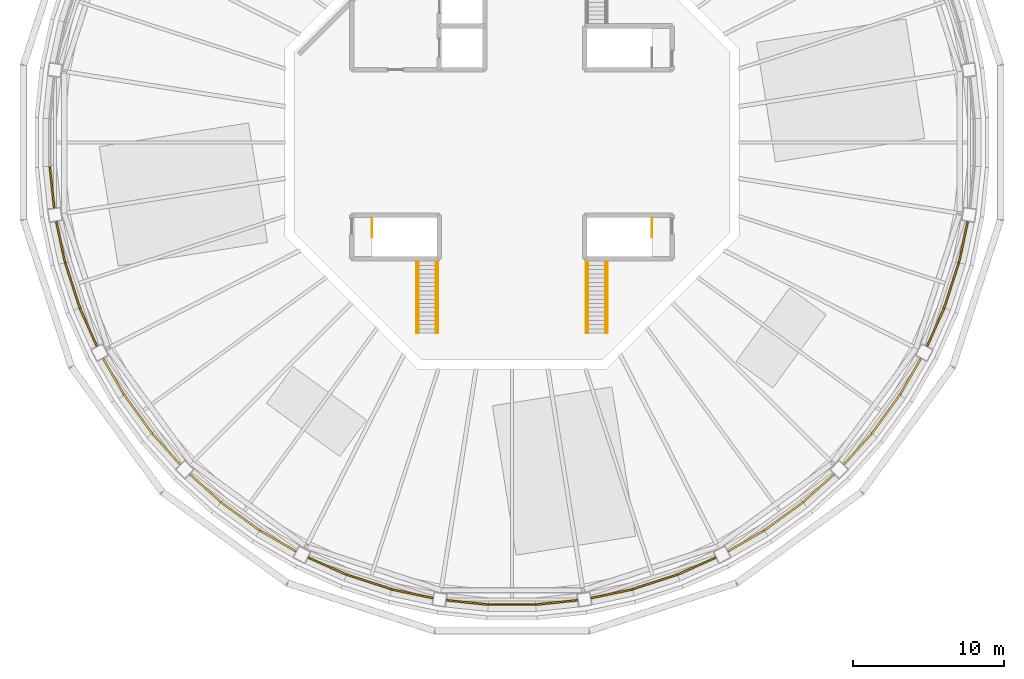
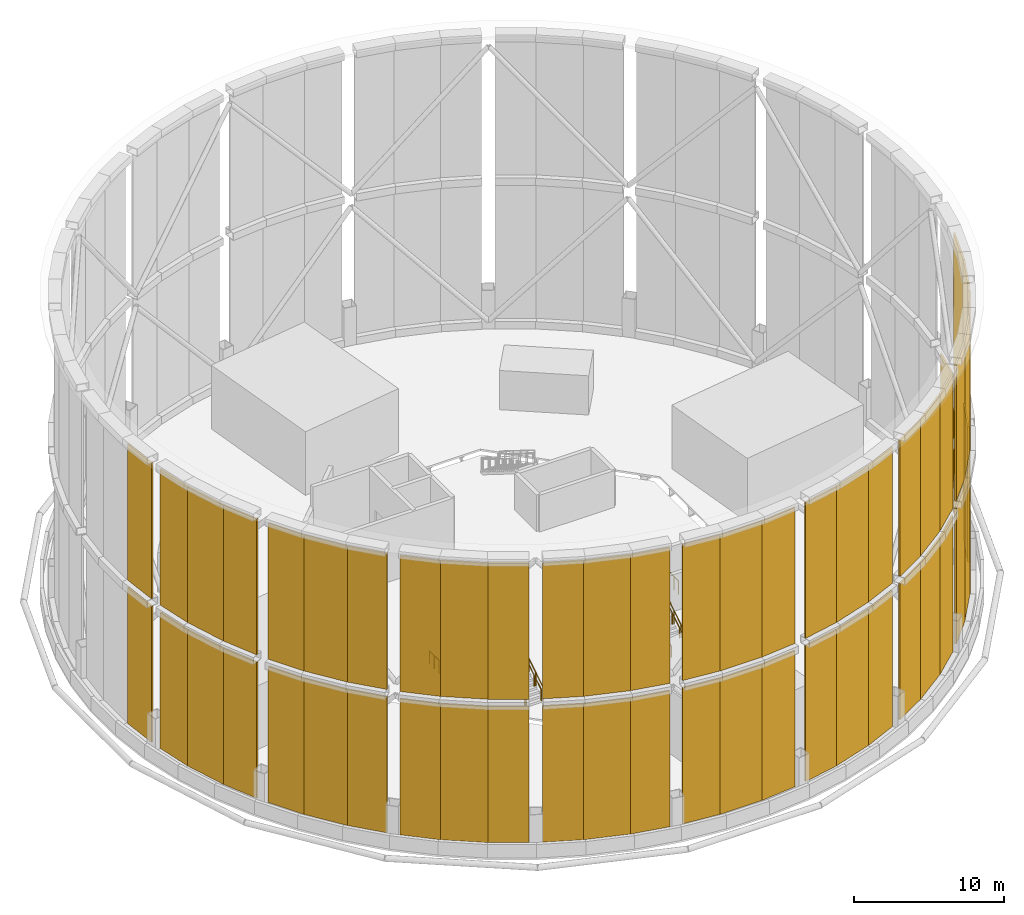
# One storey, part 8 of 11: 55 shading devices, 10 railings.
"""IFC4 building model written with IfcOpenShell, lengths in metres."""

from ifc_helpers import new_model, si_unit, direction, frame, origin, origin_2d, place, context, subcontext, project, spatial, polyline, circle, outline, extrude, material, layer, layer_set, type_object, element, save


model = new_model("IFC4")

# Units and contexts
model_context = context("Model", 3, precision=1e-05, world=origin(), true_north=direction((0.0, 1.0)))
body_context = subcontext(model_context, "Body", "Model", "MODEL_VIEW")
ifc_project = project(units=[si_unit("LENGTHUNIT", "METRE"), si_unit("AREAUNIT", "SQUARE_METRE"), si_unit("VOLUMEUNIT", "CUBIC_METRE"), si_unit("PLANEANGLEUNIT", "RADIAN"), si_unit("MASSUNIT", "GRAM", prefix="KILO")], contexts=[model_context])

# Site, building, storey
site_placement = place(None, origin())
site = spatial("IfcSite", under=ifc_project, at=site_placement, CompositionType="ELEMENT")
building_placement = place(site_placement, origin())
building = spatial("IfcBuilding", under=site, at=building_placement, Name="Entoto Ring Tower", CompositionType="ELEMENT")
storey_placement = place(building_placement, frame((0.0, 0.0, 415.0)))
storey = spatial("IfcBuildingStorey", under=building, at=storey_placement, Name="ROOF", CompositionType="ELEMENT", Elevation=415.0)

# Shading devices
ifc_material_1 = material(Name="Anodised aluminium", Category="aluminium")
ifc_layer = layer(ifc_material_1, 0.1201171875)
ifc_layer_set = layer_set([ifc_layer], Name="Anodised aluminium")
shading_device_type = type_object("IfcShadingDeviceType", Name="Crown louvre screen 120 mm anodised aluminium", PredefinedType="SHUTTER", material=ifc_layer_set)
shading_device_1_placement = place(storey_placement, frame((0.0, 0.0, 0.60009765625)))
element("IfcShadingDevice", 1, at=shading_device_1_placement, inside=storey, type_object=shading_device_type, Name="CROWN SCREEN 1-29", PredefinedType="SHUTTER", context=body_context, shape_type="SweptSolid", body=[
    extrude(outline(polyline([(59.501953125, 78.401611328125), (59.3818359375, 78.395263671875), (59.669921875, 75.654296875), (59.789306640625, 75.6669921875), (59.501953125, 78.401611328125)])), origin(), (0.0, 0.0, 1.0), 11.099853515625),
])
shading_device_2_placement = place(storey_placement, frame((0.0, 0.0, 0.60009765625)))
element("IfcShadingDevice", 2, at=shading_device_2_placement, inside=storey, type_object=shading_device_type, Name="CROWN SCREEN 1-30", PredefinedType="SHUTTER", context=body_context, shape_type="SweptSolid", body=[
    extrude(outline(polyline([(59.928955078125, 74.785400390625), (59.8115234375, 74.760498046875), (60.384521484375, 72.064697265625), (60.500732421875, 72.095703125), (59.928955078125, 74.785400390625)])), origin(), (0.0, 0.0, 1.0), 11.099853515625),
])
shading_device_3_placement = place(storey_placement, frame((0.0, 0.0, 0.60009765625)))
element("IfcShadingDevice", 3, at=shading_device_3_placement, inside=storey, type_object=shading_device_type, Name="CROWN SCREEN 1-31", PredefinedType="SHUTTER", context=body_context, shape_type="SweptSolid", body=[
    extrude(outline(polyline([(60.500732421875, 72.095703125), (60.384521484375, 72.064697265625), (61.37646484375, 69.012451171875), (61.488525390625, 69.055419921875), (60.500732421875, 72.095703125)])), origin(), (0.0, 0.0, 1.0), 11.099853515625),
])
shading_device_4_placement = place(storey_placement, frame((0.0, 0.0, 0.60009765625)))
element("IfcShadingDevice", 4, at=shading_device_4_placement, inside=storey, type_object=shading_device_type, Name="CROWN SCREEN 1-32", PredefinedType="SHUTTER", context=body_context, shape_type="SweptSolid", body=[
    extrude(outline(polyline([(61.488525390625, 69.055419921875), (61.37646484375, 69.012451171875), (62.497314453125, 66.49462890625), (62.60693359375, 66.54345703125), (61.488525390625, 69.055419921875)])), origin(), (0.0, 0.0, 1.0), 11.099853515625),
])
shading_device_5_placement = place(storey_placement, frame((0.0, 0.0, 0.60009765625)))
element("IfcShadingDevice", 5, at=shading_device_5_placement, inside=storey, type_object=shading_device_type, Name="CROWN SCREEN 1-33", PredefinedType="SHUTTER", context=body_context, shape_type="SweptSolid", body=[
    extrude(outline(polyline([(63.01220703125, 65.748291015625), (62.908203125, 65.688232421875), (64.286376953125, 63.30126953125), (64.386962890625, 63.36669921875), (63.01220703125, 65.748291015625)])), origin(), (0.0, 0.0, 1.0), 11.099853515625),
])
shading_device_6_placement = place(storey_placement, frame((0.0, 0.0, 0.60009765625)))
element("IfcShadingDevice", 6, at=shading_device_6_placement, inside=storey, type_object=shading_device_type, Name="CROWN SCREEN 1-34", PredefinedType="SHUTTER", context=body_context, shape_type="SweptSolid", body=[
    extrude(outline(polyline([(64.386962890625, 63.36669921875), (64.286376953125, 63.30126953125), (66.172607421875, 60.705078125), (66.26611328125, 60.780517578125), (64.386962890625, 63.36669921875)])), origin(), (0.0, 0.0, 1.0), 11.099853515625),
])
shading_device_7_placement = place(storey_placement, frame((0.0, 0.0, 0.60009765625)))
element("IfcShadingDevice", 7, at=shading_device_7_placement, inside=storey, type_object=shading_device_type, Name="CROWN SCREEN 1-35", PredefinedType="SHUTTER", context=body_context, shape_type="SweptSolid", body=[
    extrude(outline(polyline([(66.26611328125, 60.780517578125), (66.172607421875, 60.705078125), (68.016845703125, 58.65673828125), (68.10595703125, 58.737060546875), (66.26611328125, 60.780517578125)])), origin(), (0.0, 0.0, 1.0), 11.099853515625),
])
shading_device_8_placement = place(storey_placement, frame((0.0, 0.0, 0.60009765625)))
element("IfcShadingDevice", 8, at=shading_device_8_placement, inside=storey, type_object=shading_device_type, Name="CROWN SCREEN 1-36", PredefinedType="SHUTTER", context=body_context, shape_type="SweptSolid", body=[
    extrude(outline(polyline([(68.737060546875, 58.10595703125), (68.65673828125, 58.016845703125), (70.705078125, 56.172607421875), (70.780517578125, 56.26611328125), (68.737060546875, 58.10595703125)])), origin(), (0.0, 0.0, 1.0), 11.099853515625),
])
shading_device_9_placement = place(storey_placement, frame((0.0, 0.0, 0.60009765625)))
element("IfcShadingDevice", 9, at=shading_device_9_placement, inside=storey, type_object=shading_device_type, Name="CROWN SCREEN 1-37", PredefinedType="SHUTTER", context=body_context, shape_type="SweptSolid", body=[
    extrude(outline(polyline([(70.780517578125, 56.26611328125), (70.705078125, 56.172607421875), (73.30126953125, 54.286376953125), (73.36669921875, 54.386962890625), (70.780517578125, 56.26611328125)])), origin(), (0.0, 0.0, 1.0), 11.099853515625),
])
shading_device_10_placement = place(storey_placement, frame((0.0, 0.0, 0.60009765625)))
element("IfcShadingDevice", 10, at=shading_device_10_placement, inside=storey, type_object=shading_device_type, Name="CROWN SCREEN 1-38", PredefinedType="SHUTTER", context=body_context, shape_type="SweptSolid", body=[
    extrude(outline(polyline([(73.36669921875, 54.386962890625), (73.30126953125, 54.286376953125), (75.688232421875, 52.908203125), (75.748291015625, 53.01220703125), (73.36669921875, 54.386962890625)])), origin(), (0.0, 0.0, 1.0), 11.099853515625),
])
shading_device_11_placement = place(storey_placement, frame((0.0, 0.0, 0.60009765625)))
element("IfcShadingDevice", 11, at=shading_device_11_placement, inside=storey, type_object=shading_device_type, Name="CROWN SCREEN 1-39", PredefinedType="SHUTTER", context=body_context, shape_type="SweptSolid", body=[
    extrude(outline(polyline([(76.54345703125, 52.60693359375), (76.49462890625, 52.497314453125), (79.012451171875, 51.37646484375), (79.055419921875, 51.488525390625), (76.54345703125, 52.60693359375)])), origin(), (0.0, 0.0, 1.0), 11.099853515625),
])
shading_device_12_placement = place(storey_placement, frame((0.0, 0.0, 0.60009765625)))
element("IfcShadingDevice", 12, at=shading_device_12_placement, inside=storey, type_object=shading_device_type, Name="CROWN SCREEN 1-40", PredefinedType="SHUTTER", context=body_context, shape_type="SweptSolid", body=[
    extrude(outline(polyline([(79.055419921875, 51.488525390625), (79.012451171875, 51.37646484375), (82.064697265625, 50.384521484375), (82.095703125, 50.500732421875), (79.055419921875, 51.488525390625)])), origin(), (0.0, 0.0, 1.0), 11.099853515625),
])
shading_device_13_placement = place(storey_placement, frame((0.0, 0.0, 0.60009765625)))
element("IfcShadingDevice", 13, at=shading_device_13_placement, inside=storey, type_object=shading_device_type, Name="CROWN SCREEN 1-41", PredefinedType="SHUTTER", context=body_context, shape_type="SweptSolid", body=[
    extrude(outline(polyline([(82.095703125, 50.500732421875), (82.064697265625, 50.384521484375), (84.760498046875, 49.8115234375), (84.785400390625, 49.928955078125), (82.095703125, 50.500732421875)])), origin(), (0.0, 0.0, 1.0), 11.099853515625),
])
shading_device_14_placement = place(storey_placement, frame((0.0, 0.0, 0.60009765625)))
element("IfcShadingDevice", 14, at=shading_device_14_placement, inside=storey, type_object=shading_device_type, Name="CROWN SCREEN 1-42", PredefinedType="SHUTTER", context=body_context, shape_type="SweptSolid", body=[
    extrude(outline(polyline([(85.6669921875, 49.789306640625), (85.654296875, 49.669921875), (88.395263671875, 49.3818359375), (88.401611328125, 49.501953125), (85.6669921875, 49.789306640625)])), origin(), (0.0, 0.0, 1.0), 11.099853515625),
])
shading_device_15_placement = place(storey_placement, frame((0.0, 0.0, 0.60009765625)))
element("IfcShadingDevice", 15, at=shading_device_15_placement, inside=storey, type_object=shading_device_type, Name="CROWN SCREEN 1-43", PredefinedType="SHUTTER", context=body_context, shape_type="SweptSolid", body=[
    extrude(outline(polyline([(88.401611328125, 49.501953125), (88.395263671875, 49.3818359375), (91.604736328125, 49.3818359375), (91.598388671875, 49.501953125), (88.401611328125, 49.501953125)])), origin(), (0.0, 0.0, 1.0), 11.099853515625),
])
shading_device_16_placement = place(storey_placement, frame((0.0, 0.0, 0.60009765625)))
element("IfcShadingDevice", 16, at=shading_device_16_placement, inside=storey, type_object=shading_device_type, Name="CROWN SCREEN 1-44", PredefinedType="SHUTTER", context=body_context, shape_type="SweptSolid", body=[
    extrude(outline(polyline([(91.598388671875, 49.501953125), (91.604736328125, 49.3818359375), (94.345703125, 49.669921875), (94.3330078125, 49.789306640625), (91.598388671875, 49.501953125)])), origin(), (0.0, 0.0, 1.0), 11.099853515625),
])
shading_device_17_placement = place(storey_placement, frame((0.0, 0.0, 0.60009765625)))
element("IfcShadingDevice", 17, at=shading_device_17_placement, inside=storey, type_object=shading_device_type, Name="CROWN SCREEN 1-45", PredefinedType="SHUTTER", context=body_context, shape_type="SweptSolid", body=[
    extrude(outline(polyline([(95.214599609375, 49.928955078125), (95.239501953125, 49.8115234375), (97.935302734375, 50.384521484375), (97.904296875, 50.500732421875), (95.214599609375, 49.928955078125)])), origin(), (0.0, 0.0, 1.0), 11.099853515625),
])
shading_device_18_placement = place(storey_placement, frame((0.0, 0.0, 0.60009765625)))
element("IfcShadingDevice", 18, at=shading_device_18_placement, inside=storey, type_object=shading_device_type, Name="CROWN SCREEN 1-46", PredefinedType="SHUTTER", context=body_context, shape_type="SweptSolid", body=[
    extrude(outline(polyline([(97.904296875, 50.500732421875), (97.935302734375, 50.384521484375), (100.987548828125, 51.37646484375), (100.944580078125, 51.488525390625), (97.904296875, 50.500732421875)])), origin(), (0.0, 0.0, 1.0), 11.099853515625),
])
shading_device_19_placement = place(storey_placement, frame((0.0, 0.0, 0.60009765625)))
element("IfcShadingDevice", 19, at=shading_device_19_placement, inside=storey, type_object=shading_device_type, Name="CROWN SCREEN 1-47", PredefinedType="SHUTTER", context=body_context, shape_type="SweptSolid", body=[
    extrude(outline(polyline([(100.944580078125, 51.488525390625), (100.987548828125, 51.37646484375), (103.50537109375, 52.497314453125), (103.45654296875, 52.60693359375), (100.944580078125, 51.488525390625)])), origin(), (0.0, 0.0, 1.0), 11.099853515625),
])
shading_device_20_placement = place(storey_placement, frame((0.0, 0.0, 0.60009765625)))
element("IfcShadingDevice", 20, at=shading_device_20_placement, inside=storey, type_object=shading_device_type, Name="CROWN SCREEN 1-48", PredefinedType="SHUTTER", context=body_context, shape_type="SweptSolid", body=[
    extrude(outline(polyline([(104.251708984375, 53.01220703125), (104.311767578125, 52.908203125), (106.69873046875, 54.286376953125), (106.63330078125, 54.386962890625), (104.251708984375, 53.01220703125)])), origin(), (0.0, 0.0, 1.0), 11.099853515625),
])
shading_device_21_placement = place(storey_placement, frame((0.0, 0.0, 0.60009765625)))
element("IfcShadingDevice", 21, at=shading_device_21_placement, inside=storey, type_object=shading_device_type, Name="CROWN SCREEN 1-49", PredefinedType="SHUTTER", context=body_context, shape_type="SweptSolid", body=[
    extrude(outline(polyline([(106.63330078125, 54.386962890625), (106.69873046875, 54.286376953125), (109.294921875, 56.172607421875), (109.219482421875, 56.26611328125), (106.63330078125, 54.386962890625)])), origin(), (0.0, 0.0, 1.0), 11.099853515625),
])
shading_device_22_placement = place(storey_placement, frame((0.0, 0.0, 0.60009765625)))
element("IfcShadingDevice", 22, at=shading_device_22_placement, inside=storey, type_object=shading_device_type, Name="CROWN SCREEN 1-50", PredefinedType="SHUTTER", context=body_context, shape_type="SweptSolid", body=[
    extrude(outline(polyline([(109.219482421875, 56.26611328125), (109.294921875, 56.172607421875), (111.34326171875, 58.016845703125), (111.262939453125, 58.10595703125), (109.219482421875, 56.26611328125)])), origin(), (0.0, 0.0, 1.0), 11.099853515625),
])
shading_device_23_placement = place(storey_placement, frame((0.0, 0.0, 0.60009765625)))
element("IfcShadingDevice", 23, at=shading_device_23_placement, inside=storey, type_object=shading_device_type, Name="CROWN SCREEN 1-51", PredefinedType="SHUTTER", context=body_context, shape_type="SweptSolid", body=[
    extrude(outline(polyline([(111.89404296875, 58.737060546875), (111.983154296875, 58.65673828125), (113.827392578125, 60.705078125), (113.73388671875, 60.780517578125), (111.89404296875, 58.737060546875)])), origin(), (0.0, 0.0, 1.0), 11.099853515625),
])
shading_device_24_placement = place(storey_placement, frame((0.0, 0.0, 0.60009765625)))
element("IfcShadingDevice", 24, at=shading_device_24_placement, inside=storey, type_object=shading_device_type, Name="CROWN SCREEN 1-52", PredefinedType="SHUTTER", context=body_context, shape_type="SweptSolid", body=[
    extrude(outline(polyline([(113.73388671875, 60.780517578125), (113.827392578125, 60.705078125), (115.713623046875, 63.30126953125), (115.613037109375, 63.36669921875), (113.73388671875, 60.780517578125)])), origin(), (0.0, 0.0, 1.0), 11.099853515625),
])
shading_device_25_placement = place(storey_placement, frame((0.0, 0.0, 0.60009765625)))
element("IfcShadingDevice", 25, at=shading_device_25_placement, inside=storey, type_object=shading_device_type, Name="CROWN SCREEN 1-53", PredefinedType="SHUTTER", context=body_context, shape_type="SweptSolid", body=[
    extrude(outline(polyline([(115.613037109375, 63.36669921875), (115.713623046875, 63.30126953125), (117.091796875, 65.688232421875), (116.98779296875, 65.748291015625), (115.613037109375, 63.36669921875)])), origin(), (0.0, 0.0, 1.0), 11.099853515625),
])
shading_device_26_placement = place(storey_placement, frame((0.0, 0.0, 0.60009765625)))
element("IfcShadingDevice", 26, at=shading_device_26_placement, inside=storey, type_object=shading_device_type, Name="CROWN SCREEN 1-54", PredefinedType="SHUTTER", context=body_context, shape_type="SweptSolid", body=[
    extrude(outline(polyline([(117.39306640625, 66.54345703125), (117.502685546875, 66.49462890625), (118.62353515625, 69.012451171875), (118.511474609375, 69.055419921875), (117.39306640625, 66.54345703125)])), origin(), (0.0, 0.0, 1.0), 11.099853515625),
])
shading_device_27_placement = place(storey_placement, frame((0.0, 0.0, 0.60009765625)))
element("IfcShadingDevice", 27, at=shading_device_27_placement, inside=storey, type_object=shading_device_type, Name="CROWN SCREEN 1-55", PredefinedType="SHUTTER", context=body_context, shape_type="SweptSolid", body=[
    extrude(outline(polyline([(118.511474609375, 69.055419921875), (118.62353515625, 69.012451171875), (119.615478515625, 72.064697265625), (119.499267578125, 72.095703125), (118.511474609375, 69.055419921875)])), origin(), (0.0, 0.0, 1.0), 11.099853515625),
])
shading_device_28_placement = place(storey_placement, frame((0.0, 0.0, 0.60009765625)))
element("IfcShadingDevice", 28, at=shading_device_28_placement, inside=storey, type_object=shading_device_type, Name="CROWN SCREEN 1-56", PredefinedType="SHUTTER", context=body_context, shape_type="SweptSolid", body=[
    extrude(outline(polyline([(119.499267578125, 72.095703125), (119.615478515625, 72.064697265625), (120.1884765625, 74.760498046875), (120.071044921875, 74.785400390625), (119.499267578125, 72.095703125)])), origin(), (0.0, 0.0, 1.0), 11.099853515625),
])
shading_device_29_placement = place(storey_placement, frame((0.0, 0.0, 12.300048828125)))
element("IfcShadingDevice", 29, at=shading_device_29_placement, inside=storey, type_object=shading_device_type, Name="CROWN SCREEN 2-29", PredefinedType="SHUTTER", context=body_context, shape_type="SweptSolid", body=[
    extrude(outline(polyline([(59.501953125, 78.401611328125), (59.3818359375, 78.395263671875), (59.669921875, 75.654296875), (59.789306640625, 75.6669921875), (59.501953125, 78.401611328125)])), origin(), (0.0, 0.0, 1.0), 11.099853515625),
])
shading_device_30_placement = place(storey_placement, frame((0.0, 0.0, 12.300048828125)))
element("IfcShadingDevice", 30, at=shading_device_30_placement, inside=storey, type_object=shading_device_type, Name="CROWN SCREEN 2-30", PredefinedType="SHUTTER", context=body_context, shape_type="SweptSolid", body=[
    extrude(outline(polyline([(59.928955078125, 74.785400390625), (59.8115234375, 74.760498046875), (60.384521484375, 72.064697265625), (60.500732421875, 72.095703125), (59.928955078125, 74.785400390625)])), origin(), (0.0, 0.0, 1.0), 11.099853515625),
])
shading_device_31_placement = place(storey_placement, frame((0.0, 0.0, 12.300048828125)))
element("IfcShadingDevice", 31, at=shading_device_31_placement, inside=storey, type_object=shading_device_type, Name="CROWN SCREEN 2-31", PredefinedType="SHUTTER", context=body_context, shape_type="SweptSolid", body=[
    extrude(outline(polyline([(60.500732421875, 72.095703125), (60.384521484375, 72.064697265625), (61.37646484375, 69.012451171875), (61.488525390625, 69.055419921875), (60.500732421875, 72.095703125)])), origin(), (0.0, 0.0, 1.0), 11.099853515625),
])
shading_device_32_placement = place(storey_placement, frame((0.0, 0.0, 12.300048828125)))
element("IfcShadingDevice", 32, at=shading_device_32_placement, inside=storey, type_object=shading_device_type, Name="CROWN SCREEN 2-32", PredefinedType="SHUTTER", context=body_context, shape_type="SweptSolid", body=[
    extrude(outline(polyline([(61.488525390625, 69.055419921875), (61.37646484375, 69.012451171875), (62.497314453125, 66.49462890625), (62.60693359375, 66.54345703125), (61.488525390625, 69.055419921875)])), origin(), (0.0, 0.0, 1.0), 11.099853515625),
])
shading_device_33_placement = place(storey_placement, frame((0.0, 0.0, 12.300048828125)))
element("IfcShadingDevice", 33, at=shading_device_33_placement, inside=storey, type_object=shading_device_type, Name="CROWN SCREEN 2-33", PredefinedType="SHUTTER", context=body_context, shape_type="SweptSolid", body=[
    extrude(outline(polyline([(63.01220703125, 65.748291015625), (62.908203125, 65.688232421875), (64.286376953125, 63.30126953125), (64.386962890625, 63.36669921875), (63.01220703125, 65.748291015625)])), origin(), (0.0, 0.0, 1.0), 11.099853515625),
])
shading_device_34_placement = place(storey_placement, frame((0.0, 0.0, 12.300048828125)))
element("IfcShadingDevice", 34, at=shading_device_34_placement, inside=storey, type_object=shading_device_type, Name="CROWN SCREEN 2-34", PredefinedType="SHUTTER", context=body_context, shape_type="SweptSolid", body=[
    extrude(outline(polyline([(64.386962890625, 63.36669921875), (64.286376953125, 63.30126953125), (66.172607421875, 60.705078125), (66.26611328125, 60.780517578125), (64.386962890625, 63.36669921875)])), origin(), (0.0, 0.0, 1.0), 11.099853515625),
])
shading_device_35_placement = place(storey_placement, frame((0.0, 0.0, 12.300048828125)))
element("IfcShadingDevice", 35, at=shading_device_35_placement, inside=storey, type_object=shading_device_type, Name="CROWN SCREEN 2-35", PredefinedType="SHUTTER", context=body_context, shape_type="SweptSolid", body=[
    extrude(outline(polyline([(66.26611328125, 60.780517578125), (66.172607421875, 60.705078125), (68.016845703125, 58.65673828125), (68.10595703125, 58.737060546875), (66.26611328125, 60.780517578125)])), origin(), (0.0, 0.0, 1.0), 11.099853515625),
])
shading_device_36_placement = place(storey_placement, frame((0.0, 0.0, 12.300048828125)))
element("IfcShadingDevice", 36, at=shading_device_36_placement, inside=storey, type_object=shading_device_type, Name="CROWN SCREEN 2-36", PredefinedType="SHUTTER", context=body_context, shape_type="SweptSolid", body=[
    extrude(outline(polyline([(68.737060546875, 58.10595703125), (68.65673828125, 58.016845703125), (70.705078125, 56.172607421875), (70.780517578125, 56.26611328125), (68.737060546875, 58.10595703125)])), origin(), (0.0, 0.0, 1.0), 11.099853515625),
])
shading_device_37_placement = place(storey_placement, frame((0.0, 0.0, 12.300048828125)))
element("IfcShadingDevice", 37, at=shading_device_37_placement, inside=storey, type_object=shading_device_type, Name="CROWN SCREEN 2-37", PredefinedType="SHUTTER", context=body_context, shape_type="SweptSolid", body=[
    extrude(outline(polyline([(70.780517578125, 56.26611328125), (70.705078125, 56.172607421875), (73.30126953125, 54.286376953125), (73.36669921875, 54.386962890625), (70.780517578125, 56.26611328125)])), origin(), (0.0, 0.0, 1.0), 11.099853515625),
])
shading_device_38_placement = place(storey_placement, frame((0.0, 0.0, 12.300048828125)))
element("IfcShadingDevice", 38, at=shading_device_38_placement, inside=storey, type_object=shading_device_type, Name="CROWN SCREEN 2-38", PredefinedType="SHUTTER", context=body_context, shape_type="SweptSolid", body=[
    extrude(outline(polyline([(73.36669921875, 54.386962890625), (73.30126953125, 54.286376953125), (75.688232421875, 52.908203125), (75.748291015625, 53.01220703125), (73.36669921875, 54.386962890625)])), origin(), (0.0, 0.0, 1.0), 11.099853515625),
])
shading_device_39_placement = place(storey_placement, frame((0.0, 0.0, 12.300048828125)))
element("IfcShadingDevice", 39, at=shading_device_39_placement, inside=storey, type_object=shading_device_type, Name="CROWN SCREEN 2-39", PredefinedType="SHUTTER", context=body_context, shape_type="SweptSolid", body=[
    extrude(outline(polyline([(76.54345703125, 52.60693359375), (76.49462890625, 52.497314453125), (79.012451171875, 51.37646484375), (79.055419921875, 51.488525390625), (76.54345703125, 52.60693359375)])), origin(), (0.0, 0.0, 1.0), 11.099853515625),
])
shading_device_40_placement = place(storey_placement, frame((0.0, 0.0, 12.300048828125)))
element("IfcShadingDevice", 40, at=shading_device_40_placement, inside=storey, type_object=shading_device_type, Name="CROWN SCREEN 2-40", PredefinedType="SHUTTER", context=body_context, shape_type="SweptSolid", body=[
    extrude(outline(polyline([(79.055419921875, 51.488525390625), (79.012451171875, 51.37646484375), (82.064697265625, 50.384521484375), (82.095703125, 50.500732421875), (79.055419921875, 51.488525390625)])), origin(), (0.0, 0.0, 1.0), 11.099853515625),
])
shading_device_41_placement = place(storey_placement, frame((0.0, 0.0, 12.300048828125)))
element("IfcShadingDevice", 41, at=shading_device_41_placement, inside=storey, type_object=shading_device_type, Name="CROWN SCREEN 2-41", PredefinedType="SHUTTER", context=body_context, shape_type="SweptSolid", body=[
    extrude(outline(polyline([(82.095703125, 50.500732421875), (82.064697265625, 50.384521484375), (84.760498046875, 49.8115234375), (84.785400390625, 49.928955078125), (82.095703125, 50.500732421875)])), origin(), (0.0, 0.0, 1.0), 11.099853515625),
])
shading_device_42_placement = place(storey_placement, frame((0.0, 0.0, 12.300048828125)))
element("IfcShadingDevice", 42, at=shading_device_42_placement, inside=storey, type_object=shading_device_type, Name="CROWN SCREEN 2-42", PredefinedType="SHUTTER", context=body_context, shape_type="SweptSolid", body=[
    extrude(outline(polyline([(85.6669921875, 49.789306640625), (85.654296875, 49.669921875), (88.395263671875, 49.3818359375), (88.401611328125, 49.501953125), (85.6669921875, 49.789306640625)])), origin(), (0.0, 0.0, 1.0), 11.099853515625),
])
shading_device_43_placement = place(storey_placement, frame((0.0, 0.0, 12.300048828125)))
element("IfcShadingDevice", 43, at=shading_device_43_placement, inside=storey, type_object=shading_device_type, Name="CROWN SCREEN 2-43", PredefinedType="SHUTTER", context=body_context, shape_type="SweptSolid", body=[
    extrude(outline(polyline([(88.401611328125, 49.501953125), (88.395263671875, 49.3818359375), (91.604736328125, 49.3818359375), (91.598388671875, 49.501953125), (88.401611328125, 49.501953125)])), origin(), (0.0, 0.0, 1.0), 11.099853515625),
])
shading_device_44_placement = place(storey_placement, frame((0.0, 0.0, 12.300048828125)))
element("IfcShadingDevice", 44, at=shading_device_44_placement, inside=storey, type_object=shading_device_type, Name="CROWN SCREEN 2-44", PredefinedType="SHUTTER", context=body_context, shape_type="SweptSolid", body=[
    extrude(outline(polyline([(91.598388671875, 49.501953125), (91.604736328125, 49.3818359375), (94.345703125, 49.669921875), (94.3330078125, 49.789306640625), (91.598388671875, 49.501953125)])), origin(), (0.0, 0.0, 1.0), 11.099853515625),
])
shading_device_45_placement = place(storey_placement, frame((0.0, 0.0, 12.300048828125)))
element("IfcShadingDevice", 45, at=shading_device_45_placement, inside=storey, type_object=shading_device_type, Name="CROWN SCREEN 2-45", PredefinedType="SHUTTER", context=body_context, shape_type="SweptSolid", body=[
    extrude(outline(polyline([(95.214599609375, 49.928955078125), (95.239501953125, 49.8115234375), (97.935302734375, 50.384521484375), (97.904296875, 50.500732421875), (95.214599609375, 49.928955078125)])), origin(), (0.0, 0.0, 1.0), 11.099853515625),
])
shading_device_46_placement = place(storey_placement, frame((0.0, 0.0, 12.300048828125)))
element("IfcShadingDevice", 46, at=shading_device_46_placement, inside=storey, type_object=shading_device_type, Name="CROWN SCREEN 2-46", PredefinedType="SHUTTER", context=body_context, shape_type="SweptSolid", body=[
    extrude(outline(polyline([(97.904296875, 50.500732421875), (97.935302734375, 50.384521484375), (100.987548828125, 51.37646484375), (100.944580078125, 51.488525390625), (97.904296875, 50.500732421875)])), origin(), (0.0, 0.0, 1.0), 11.099853515625),
])
shading_device_47_placement = place(storey_placement, frame((0.0, 0.0, 12.300048828125)))
element("IfcShadingDevice", 47, at=shading_device_47_placement, inside=storey, type_object=shading_device_type, Name="CROWN SCREEN 2-47", PredefinedType="SHUTTER", context=body_context, shape_type="SweptSolid", body=[
    extrude(outline(polyline([(100.944580078125, 51.488525390625), (100.987548828125, 51.37646484375), (103.50537109375, 52.497314453125), (103.45654296875, 52.60693359375), (100.944580078125, 51.488525390625)])), origin(), (0.0, 0.0, 1.0), 11.099853515625),
])
shading_device_48_placement = place(storey_placement, frame((0.0, 0.0, 12.300048828125)))
element("IfcShadingDevice", 48, at=shading_device_48_placement, inside=storey, type_object=shading_device_type, Name="CROWN SCREEN 2-48", PredefinedType="SHUTTER", context=body_context, shape_type="SweptSolid", body=[
    extrude(outline(polyline([(104.251708984375, 53.01220703125), (104.311767578125, 52.908203125), (106.69873046875, 54.286376953125), (106.63330078125, 54.386962890625), (104.251708984375, 53.01220703125)])), origin(), (0.0, 0.0, 1.0), 11.099853515625),
])
shading_device_49_placement = place(storey_placement, frame((0.0, 0.0, 12.300048828125)))
element("IfcShadingDevice", 49, at=shading_device_49_placement, inside=storey, type_object=shading_device_type, Name="CROWN SCREEN 2-49", PredefinedType="SHUTTER", context=body_context, shape_type="SweptSolid", body=[
    extrude(outline(polyline([(106.63330078125, 54.386962890625), (106.69873046875, 54.286376953125), (109.294921875, 56.172607421875), (109.219482421875, 56.26611328125), (106.63330078125, 54.386962890625)])), origin(), (0.0, 0.0, 1.0), 11.099853515625),
])
shading_device_50_placement = place(storey_placement, frame((0.0, 0.0, 12.300048828125)))
element("IfcShadingDevice", 50, at=shading_device_50_placement, inside=storey, type_object=shading_device_type, Name="CROWN SCREEN 2-50", PredefinedType="SHUTTER", context=body_context, shape_type="SweptSolid", body=[
    extrude(outline(polyline([(109.219482421875, 56.26611328125), (109.294921875, 56.172607421875), (111.34326171875, 58.016845703125), (111.262939453125, 58.10595703125), (109.219482421875, 56.26611328125)])), origin(), (0.0, 0.0, 1.0), 11.099853515625),
])
shading_device_51_placement = place(storey_placement, frame((0.0, 0.0, 12.300048828125)))
element("IfcShadingDevice", 51, at=shading_device_51_placement, inside=storey, type_object=shading_device_type, Name="CROWN SCREEN 2-51", PredefinedType="SHUTTER", context=body_context, shape_type="SweptSolid", body=[
    extrude(outline(polyline([(111.89404296875, 58.737060546875), (111.983154296875, 58.65673828125), (113.827392578125, 60.705078125), (113.73388671875, 60.780517578125), (111.89404296875, 58.737060546875)])), origin(), (0.0, 0.0, 1.0), 11.099853515625),
])
shading_device_52_placement = place(storey_placement, frame((0.0, 0.0, 12.300048828125)))
element("IfcShadingDevice", 52, at=shading_device_52_placement, inside=storey, type_object=shading_device_type, Name="CROWN SCREEN 2-52", PredefinedType="SHUTTER", context=body_context, shape_type="SweptSolid", body=[
    extrude(outline(polyline([(113.73388671875, 60.780517578125), (113.827392578125, 60.705078125), (115.713623046875, 63.30126953125), (115.613037109375, 63.36669921875), (113.73388671875, 60.780517578125)])), origin(), (0.0, 0.0, 1.0), 11.099853515625),
])
shading_device_53_placement = place(storey_placement, frame((0.0, 0.0, 12.300048828125)))
element("IfcShadingDevice", 53, at=shading_device_53_placement, inside=storey, type_object=shading_device_type, Name="CROWN SCREEN 2-53", PredefinedType="SHUTTER", context=body_context, shape_type="SweptSolid", body=[
    extrude(outline(polyline([(115.613037109375, 63.36669921875), (115.713623046875, 63.30126953125), (117.091796875, 65.688232421875), (116.98779296875, 65.748291015625), (115.613037109375, 63.36669921875)])), origin(), (0.0, 0.0, 1.0), 11.099853515625),
])
shading_device_54_placement = place(storey_placement, frame((0.0, 0.0, 12.300048828125)))
element("IfcShadingDevice", 54, at=shading_device_54_placement, inside=storey, type_object=shading_device_type, Name="CROWN SCREEN 2-54", PredefinedType="SHUTTER", context=body_context, shape_type="SweptSolid", body=[
    extrude(outline(polyline([(117.39306640625, 66.54345703125), (117.502685546875, 66.49462890625), (118.62353515625, 69.012451171875), (118.511474609375, 69.055419921875), (117.39306640625, 66.54345703125)])), origin(), (0.0, 0.0, 1.0), 11.099853515625),
])
shading_device_55_placement = place(storey_placement, frame((0.0, 0.0, 12.300048828125)))
element("IfcShadingDevice", 55, at=shading_device_55_placement, inside=storey, type_object=shading_device_type, Name="CROWN SCREEN 2-55", PredefinedType="SHUTTER", context=body_context, shape_type="SweptSolid", body=[
    extrude(outline(polyline([(118.511474609375, 69.055419921875), (118.62353515625, 69.012451171875), (119.615478515625, 72.064697265625), (119.499267578125, 72.095703125), (118.511474609375, 69.055419921875)])), origin(), (0.0, 0.0, 1.0), 11.099853515625),
])

# Railings
ifc_material_2 = material(Name="Steel S275", Category="steel")
railing_type_1 = type_object("IfcRailingType", Name="Stair guard 1100 mm steel", PredefinedType="GUARDRAIL", material=ifc_material_2)
for number, where, name in (
    (56, (80.75, 75.0, 0.0), "Guard ST2"),
    (57, (99.25, 75.0, 0.0), "Guard ST3"),
):
    element("IfcRailing", number, at=place(storey_placement, frame(where)), inside=storey, type_object=railing_type_1, Name=name, PredefinedType="GUARDRAIL", context=body_context, shape_type="SweptSolid", body=[
        extrude(circle(Radius=0.02392578125, at=origin_2d()), frame((0.0, 0.0, 1.076171875), z_axis=(0.0, -1.0, 0.0), x_axis=(1.0, 0.0, 0.0)), (0.0, 0.0, 1.0), 1.25),
        extrude(circle(Radius=0.02099609375, at=origin_2d()), origin(), (0.0, 0.0, 1.0), 1.052001953125),
        extrude(circle(Radius=0.02099609375, at=origin_2d()), frame((0.0, -0.625, 0.0)), (0.0, 0.0, 1.0), 1.052001953125),
        extrude(circle(Radius=0.02099609375, at=origin_2d()), frame((0.0, -1.25, 0.0)), (0.0, 0.0, 1.0), 1.052001953125),
    ])
for number, where, name in (
    (58, (85.10009765625, 67.389892578125, 0.175048828125), "Guard RS2"),
    (59, (83.699951171875, 67.389892578125, 0.175048828125), "Guard RS2"),
    (60, (96.300048828125, 67.389892578125, 0.175048828125), "Guard RS3"),
    (61, (94.89990234375, 67.389892578125, 0.175048828125), "Guard RS3"),
):
    element("IfcRailing", number, at=place(storey_placement, frame(where)), inside=storey, type_object=railing_type_1, Name=name, PredefinedType="GUARDRAIL", context=body_context, shape_type="SweptSolid", body=[
        extrude(circle(Radius=0.02392578125, at=origin_2d()), frame((0.0, 0.0, 1.076171875), z_axis=(0.0, 0.848020527612, 0.529963380574), x_axis=(-1.0, 0.0, 0.0)), (0.0, 0.0, 1.0), 5.554443359375),
        extrude(circle(Radius=0.02099609375, at=origin_2d()), origin(), (0.0, 0.0, 1.0), 1.052001953125),
        extrude(circle(Radius=0.02099609375, at=origin_2d()), frame((0.0, 0.942138671875, 0.588623046875)), (0.0, 0.0, 1.0), 1.052001953125),
        extrude(circle(Radius=0.02099609375, at=origin_2d()), frame((0.0, 1.884033203125, 1.177490234375)), (0.0, 0.0, 1.0), 1.052001953125),
        extrude(circle(Radius=0.02099609375, at=origin_2d()), frame((0.0, 2.826171875, 1.76611328125)), (0.0, 0.0, 1.0), 1.052001953125),
        extrude(circle(Radius=0.02099609375, at=origin_2d()), frame((0.0, 3.76806640625, 2.35498046875)), (0.0, 0.0, 1.0), 1.052001953125),
        extrude(circle(Radius=0.02099609375, at=origin_2d()), frame((0.0, 4.710205078125, 2.943603515625)), (0.0, 0.0, 1.0), 1.052001953125),
    ])
ifc_material_3 = material(Name="Steel S275", Category="steel")
railing_type_2 = type_object("IfcRailingType", Name="Stair handrail 900 mm steel", PredefinedType="HANDRAIL", material=ifc_material_3)
for number, where, name in (
    (62, (84.97998046875, 67.389892578125, 0.175048828125), "Handrail RS2"),
    (63, (83.820068359375, 67.389892578125, 0.175048828125), "Handrail RS2"),
    (64, (96.179931640625, 67.389892578125, 0.175048828125), "Handrail RS3"),
    (65, (95.02001953125, 67.389892578125, 0.175048828125), "Handrail RS3"),
):
    element("IfcRailing", number, at=place(storey_placement, frame(where)), inside=storey, type_object=railing_type_2, Name=name, PredefinedType="HANDRAIL", context=body_context, shape_type="SweptSolid", body=[
        extrude(circle(Radius=0.02392578125, at=origin_2d()), frame((0.0, 0.0, 0.8759765625), z_axis=(0.0, 0.848020527612, 0.529963380574), x_axis=(-1.0, 0.0, 0.0)), (0.0, 0.0, 1.0), 5.554443359375),
        extrude(circle(Radius=0.02099609375, at=origin_2d()), origin(), (0.0, 0.0, 1.0), 0.851806640625),
        extrude(circle(Radius=0.02099609375, at=origin_2d()), frame((0.0, 0.942138671875, 0.588623046875)), (0.0, 0.0, 1.0), 0.851806640625),
        extrude(circle(Radius=0.02099609375, at=origin_2d()), frame((0.0, 1.884033203125, 1.177490234375)), (0.0, 0.0, 1.0), 0.851806640625),
        extrude(circle(Radius=0.02099609375, at=origin_2d()), frame((0.0, 2.826171875, 1.76611328125)), (0.0, 0.0, 1.0), 0.851806640625),
        extrude(circle(Radius=0.02099609375, at=origin_2d()), frame((0.0, 3.76806640625, 2.35498046875)), (0.0, 0.0, 1.0), 0.851806640625),
        extrude(circle(Radius=0.02099609375, at=origin_2d()), frame((0.0, 4.710205078125, 2.943603515625)), (0.0, 0.0, 1.0), 0.851806640625),
    ])

save(model, "model.ifc")
